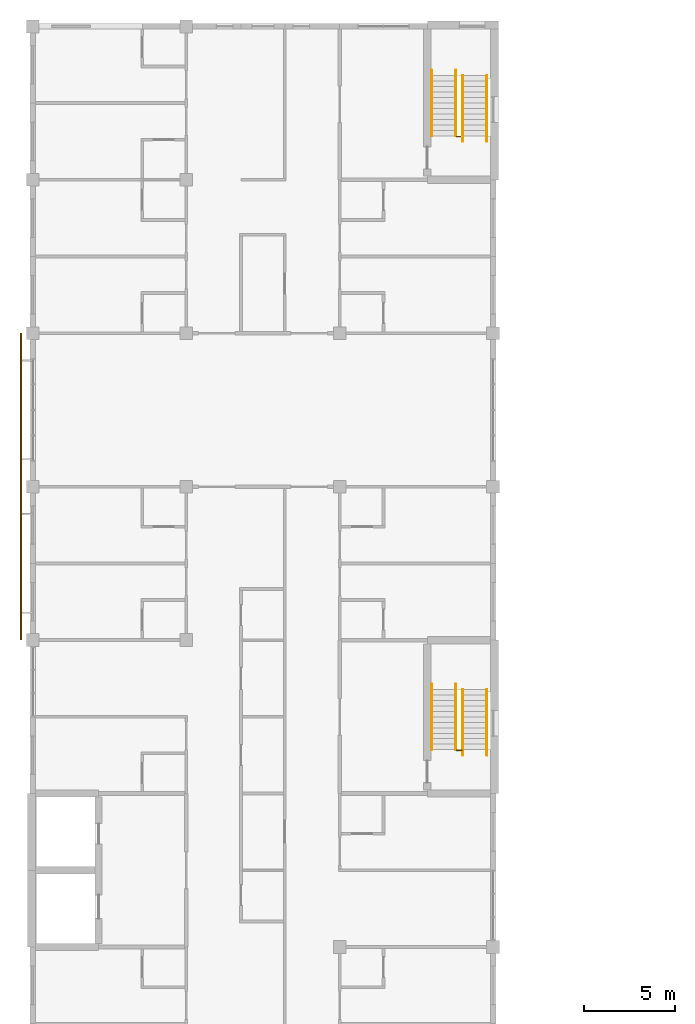
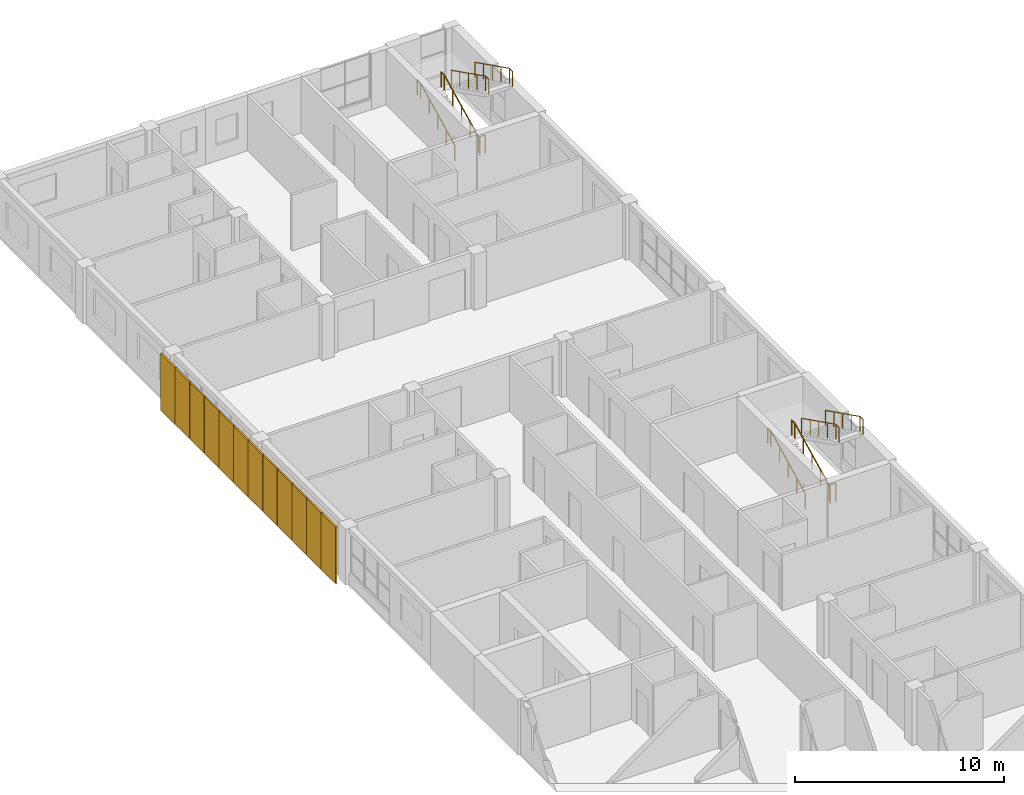
# One storey, part 45 of 46: 12 shading devices, 10 railings.
"""IFC4 building model written with IfcOpenShell, lengths in metres."""

from ifc_helpers import new_model, si_unit, direction, frame, origin, origin_2d, place, context, subcontext, project, spatial, rectangle, circle, extrude, material, layer, layer_set, type_object, element, save


model = new_model("IFC4")

# Units and contexts
model_context = context("Model", 3, precision=1e-05, world=origin(), true_north=direction((0.0, 1.0)))
body_context = subcontext(model_context, "Body", "Model", "MODEL_VIEW")
ifc_project = project(units=[si_unit("LENGTHUNIT", "METRE"), si_unit("AREAUNIT", "SQUARE_METRE"), si_unit("VOLUMEUNIT", "CUBIC_METRE"), si_unit("PLANEANGLEUNIT", "RADIAN"), si_unit("MASSUNIT", "GRAM", prefix="KILO")], contexts=[model_context])

# Site, building, storey
site_placement = place(None, origin())
site = spatial("IfcSite", under=ifc_project, at=site_placement, CompositionType="ELEMENT")
building_placement = place(site_placement, origin())
building = spatial("IfcBuilding", under=site, at=building_placement, Name="Yavir Park General Hospital", CompositionType="ELEMENT")
storey_placement = place(building_placement, frame((0.0, 0.0, 18.89990234375)))
storey = spatial("IfcBuildingStorey", under=building, at=storey_placement, Name="L04", CompositionType="ELEMENT", Elevation=18.89990234375)

# Shading devices
ifc_material_1 = material(Name="Precast concrete perforated block panel", Category="concrete")
ifc_layer = layer(ifc_material_1, 0.092041015625)
ifc_layer_set = layer_set([ifc_layer], Name="Precast concrete perforated block panel")
shading_device_type = type_object("IfcShadingDeviceType", Name="Precast breeze-block screen panel 1380 x 3300 x 92", PredefinedType="JALOUSIE", material=ifc_layer_set)
for number, where, z_axis, x_axis, name in (
    (1, (-0.64990234375, 84.699951171875, 0.0), (0.0, 0.0, 1.0), (1.0, 0.0, 0.0), "Screen panel W11.2.1"),
    (2, (-0.64990234375, 86.10009765625, 0.0), (0.0, 0.0, 1.0), (1.0, 0.0, 0.0), "Screen panel W11.2.2"),
    (3, (-0.64990234375, 87.5, 0.0), (0.0, 0.0, 1.0), (1.0, 0.0, 0.0), "Screen panel W11.2.3"),
    (4, (-0.64990234375, 88.89990234375, 0.0), (0.0, 0.0, 1.0), (1.0, 0.0, 0.0), "Screen panel W11.2.4"),
    (5, (-0.64990234375, 90.300048828125, 0.0), (0.0, 0.0, 1.0), (1.0, 0.0, 0.0), "Screen panel W11.2.5"),
    (6, (-0.64990234375, 91.699951171875, 0.0), (0.0, 0.0, 1.0), (1.0, 0.0, 0.0), "Screen panel W11.2.6"),
    (7, (-0.64990234375, 93.10009765625, 0.0), (0.0, 0.0, 1.0), (1.0, 0.0, 0.0), "Screen panel W12.2.1"),
    (8, (-0.64990234375, 94.5, 0.0), (0.0, 0.0, 1.0), (1.0, 0.0, 0.0), "Screen panel W12.2.2"),
    (9, (-0.64990234375, 95.89990234375, 0.0), (0.0, 0.0, 1.0), (1.0, 0.0, 0.0), "Screen panel W12.2.3"),
    (10, (-0.64990234375, 97.300048828125, 0.0), (0.0, 0.0, 1.0), (1.0, 0.0, 0.0), "Screen panel W12.2.4"),
    (11, (-0.64990234375, 98.699951171875, 0.0), (0.0, 0.0, 1.0), (1.0, 0.0, 0.0), "Screen panel W12.2.5"),
    (12, (-0.64990234375, 100.10009765625, 0.0), (0.0, 0.0, 1.0), (1.0, 0.0, 0.0), "Screen panel W12.2.6"),
):
    element("IfcShadingDevice", number, at=place(storey_placement, frame(where, z_axis=z_axis, x_axis=x_axis)), inside=storey, type_object=shading_device_type, Name=name, PredefinedType="JALOUSIE", context=body_context, shape_type="SweptSolid", body=[
        extrude(rectangle(XDim=0.092041015625, YDim=1.3798828125, at=origin_2d()), origin(), (0.0, 0.0, 1.0), 3.300048828125),
    ])

# Railings
ifc_material_2 = material(Name="Steel balustrade with infill rods", Category="steel")
railing_type_1 = type_object("IfcRailingType", Name="Stair guard, steel balustrade 1100 mm", PredefinedType="GUARDRAIL", material=ifc_material_2)
for number, where, name in (
    (13, (23.199951171875, 77.969970703125, 0.0), "Stair well guard SW2 L04"),
    (14, (23.199951171875, 111.570068359375, 0.0), "Stair well guard SW3 L04"),
):
    element("IfcRailing", number, at=place(storey_placement, frame(where)), inside=storey, type_object=railing_type_1, Name=name, PredefinedType="GUARDRAIL", context=body_context, shape_type="SweptSolid", body=[
        extrude(circle(Radius=0.02392578125, at=origin_2d()), frame((0.0, 0.0, 1.076171875), z_axis=(1.0, 0.0, 0.0), x_axis=(0.0, 1.0, 0.0)), (0.0, 0.0, 1.0), 0.300048828125),
        extrude(circle(Radius=0.02099609375, at=origin_2d()), origin(), (0.0, 0.0, 1.0), 1.052001953125),
        extrude(circle(Radius=0.02099609375, at=origin_2d()), frame((0.300048828125, 0.0, 0.0)), (0.0, 0.0, 1.0), 1.052001953125),
    ])
ifc_material_3 = material(Name="Stainless steel tube 48 mm", Category="steel")
railing_type_2 = type_object("IfcRailingType", Name="Stair handrail, steel tube, 900 mm above the nosings", PredefinedType="HANDRAIL", material=ifc_material_3)
for number, where, name in (
    (15, (21.840087890625, 78.0, 0.150146484375), "Handrail SW2 L04 1"),
    (16, (23.159912109375, 78.0, 0.150146484375), "Handrail SW2 L04 2"),
):
    element("IfcRailing", number, at=place(storey_placement, frame(where)), inside=storey, type_object=railing_type_2, Name=name, PredefinedType="HANDRAIL", context=body_context, shape_type="SweptSolid", body=[
        extrude(circle(Radius=0.02392578125, at=origin_2d()), frame((0.0, 0.0, 0.8759765625), z_axis=(0.0, 0.894440424912, 0.447187126696), x_axis=(-1.0, 0.0, 0.0)), (0.0, 0.0, 1.0), 3.689453125),
        extrude(circle(Radius=0.02392578125, at=origin_2d()), frame((0.0, 3.300048828125, 2.52587890625), z_axis=(0.0, 1.0, 0.0), x_axis=(-1.0, 0.0, 0.0)), (0.0, 0.0, 1.0), 0.300048828125),
        extrude(circle(Radius=0.02099609375, at=origin_2d()), origin(), (0.0, 0.0, 1.0), 0.851806640625),
        extrude(circle(Radius=0.02099609375, at=origin_2d()), frame((0.0, 0.824951171875, 0.41259765625)), (0.0, 0.0, 1.0), 0.851806640625),
        extrude(circle(Radius=0.02099609375, at=origin_2d()), frame((0.0, 1.64990234375, 0.824951171875)), (0.0, 0.0, 1.0), 0.851806640625),
        extrude(circle(Radius=0.02099609375, at=origin_2d()), frame((0.0, 2.47509765625, 1.2373046875)), (0.0, 0.0, 1.0), 0.851806640625),
        extrude(circle(Radius=0.02099609375, at=origin_2d()), frame((0.0, 3.300048828125, 1.64990234375)), (0.0, 0.0, 1.0), 0.851806640625),
        extrude(circle(Radius=0.02099609375, at=origin_2d()), frame((0.0, 3.60009765625, 1.64990234375)), (0.0, 0.0, 1.0), 0.851806640625),
    ])
for number, where, name in (
    (17, (24.860107421875, 81.300048828125, 1.9501953125), "Handrail SW2 L04 3"),
    (18, (23.5400390625, 81.300048828125, 1.9501953125), "Handrail SW2 L04 4"),
):
    element("IfcRailing", number, at=place(storey_placement, frame(where)), inside=storey, type_object=railing_type_2, Name=name, PredefinedType="HANDRAIL", context=body_context, shape_type="SweptSolid", body=[
        extrude(circle(Radius=0.02392578125, at=origin_2d()), frame((0.0, 0.0, 0.8759765625), z_axis=(0.0, -0.894440424912, 0.447187126696), x_axis=(1.0, 0.0, 0.0)), (0.0, 0.0, 1.0), 3.689453125),
        extrude(circle(Radius=0.02392578125, at=origin_2d()), frame((0.0, -3.300048828125, 2.52587890625), z_axis=(0.0, -1.0, 0.0), x_axis=(1.0, 0.0, 0.0)), (0.0, 0.0, 1.0), 0.300048828125),
        extrude(circle(Radius=0.02099609375, at=origin_2d()), origin(), (0.0, 0.0, 1.0), 0.851806640625),
        extrude(circle(Radius=0.02099609375, at=origin_2d()), frame((0.0, -0.824951171875, 0.41259765625)), (0.0, 0.0, 1.0), 0.851806640625),
        extrude(circle(Radius=0.02099609375, at=origin_2d()), frame((0.0, -1.64990234375, 0.824951171875)), (0.0, 0.0, 1.0), 0.851806640625),
        extrude(circle(Radius=0.02099609375, at=origin_2d()), frame((0.0, -2.47509765625, 1.2373046875)), (0.0, 0.0, 1.0), 0.851806640625),
        extrude(circle(Radius=0.02099609375, at=origin_2d()), frame((0.0, -3.300048828125, 1.64990234375)), (0.0, 0.0, 1.0), 0.851806640625),
        extrude(circle(Radius=0.02099609375, at=origin_2d()), frame((0.0, -3.60009765625, 1.64990234375)), (0.0, 0.0, 1.0), 0.851806640625),
    ])
for number, where, name in (
    (19, (21.840087890625, 111.60009765625, 0.150146484375), "Handrail SW3 L04 1"),
    (20, (23.159912109375, 111.60009765625, 0.150146484375), "Handrail SW3 L04 2"),
):
    element("IfcRailing", number, at=place(storey_placement, frame(where)), inside=storey, type_object=railing_type_2, Name=name, PredefinedType="HANDRAIL", context=body_context, shape_type="SweptSolid", body=[
        extrude(circle(Radius=0.02392578125, at=origin_2d()), frame((0.0, 0.0, 0.8759765625), z_axis=(0.0, 0.894427191, 0.4472135955), x_axis=(-1.0, 0.0, 0.0)), (0.0, 0.0, 1.0), 3.689208984375),
        extrude(circle(Radius=0.02392578125, at=origin_2d()), frame((0.0, 3.2998046875, 2.52587890625), z_axis=(0.0, 1.0, 0.0), x_axis=(-1.0, 0.0, 0.0)), (0.0, 0.0, 1.0), 0.300048828125),
        extrude(circle(Radius=0.02099609375, at=origin_2d()), origin(), (0.0, 0.0, 1.0), 0.851806640625),
        extrude(circle(Radius=0.02099609375, at=origin_2d()), frame((0.0, 0.824951171875, 0.41259765625)), (0.0, 0.0, 1.0), 0.851806640625),
        extrude(circle(Radius=0.02099609375, at=origin_2d()), frame((0.0, 1.64990234375, 0.824951171875)), (0.0, 0.0, 1.0), 0.851806640625),
        extrude(circle(Radius=0.02099609375, at=origin_2d()), frame((0.0, 2.474853515625, 1.2373046875)), (0.0, 0.0, 1.0), 0.851806640625),
        extrude(circle(Radius=0.02099609375, at=origin_2d()), frame((0.0, 3.2998046875, 1.64990234375)), (0.0, 0.0, 1.0), 0.851806640625),
        extrude(circle(Radius=0.02099609375, at=origin_2d()), frame((0.0, 3.599853515625, 1.64990234375)), (0.0, 0.0, 1.0), 0.851806640625),
    ])
for number, where, name in (
    (21, (24.860107421875, 114.89990234375, 1.9501953125), "Handrail SW3 L04 3"),
    (22, (23.5400390625, 114.89990234375, 1.9501953125), "Handrail SW3 L04 4"),
):
    element("IfcRailing", number, at=place(storey_placement, frame(where)), inside=storey, type_object=railing_type_2, Name=name, PredefinedType="HANDRAIL", context=body_context, shape_type="SweptSolid", body=[
        extrude(circle(Radius=0.02392578125, at=origin_2d()), frame((0.0, 0.0, 0.8759765625), z_axis=(0.0, -0.894427191, 0.4472135955), x_axis=(1.0, 0.0, 0.0)), (0.0, 0.0, 1.0), 3.689208984375),
        extrude(circle(Radius=0.02392578125, at=origin_2d()), frame((0.0, -3.2998046875, 2.52587890625), z_axis=(0.0, -1.0, 0.0), x_axis=(1.0, 0.0, 0.0)), (0.0, 0.0, 1.0), 0.300048828125),
        extrude(circle(Radius=0.02099609375, at=origin_2d()), origin(), (0.0, 0.0, 1.0), 0.851806640625),
        extrude(circle(Radius=0.02099609375, at=origin_2d()), frame((0.0, -0.824951171875, 0.41259765625)), (0.0, 0.0, 1.0), 0.851806640625),
        extrude(circle(Radius=0.02099609375, at=origin_2d()), frame((0.0, -1.64990234375, 0.824951171875)), (0.0, 0.0, 1.0), 0.851806640625),
        extrude(circle(Radius=0.02099609375, at=origin_2d()), frame((0.0, -2.474853515625, 1.2373046875)), (0.0, 0.0, 1.0), 0.851806640625),
        extrude(circle(Radius=0.02099609375, at=origin_2d()), frame((0.0, -3.2998046875, 1.64990234375)), (0.0, 0.0, 1.0), 0.851806640625),
        extrude(circle(Radius=0.02099609375, at=origin_2d()), frame((0.0, -3.599853515625, 1.64990234375)), (0.0, 0.0, 1.0), 0.851806640625),
    ])

save(model, "model.ifc")
